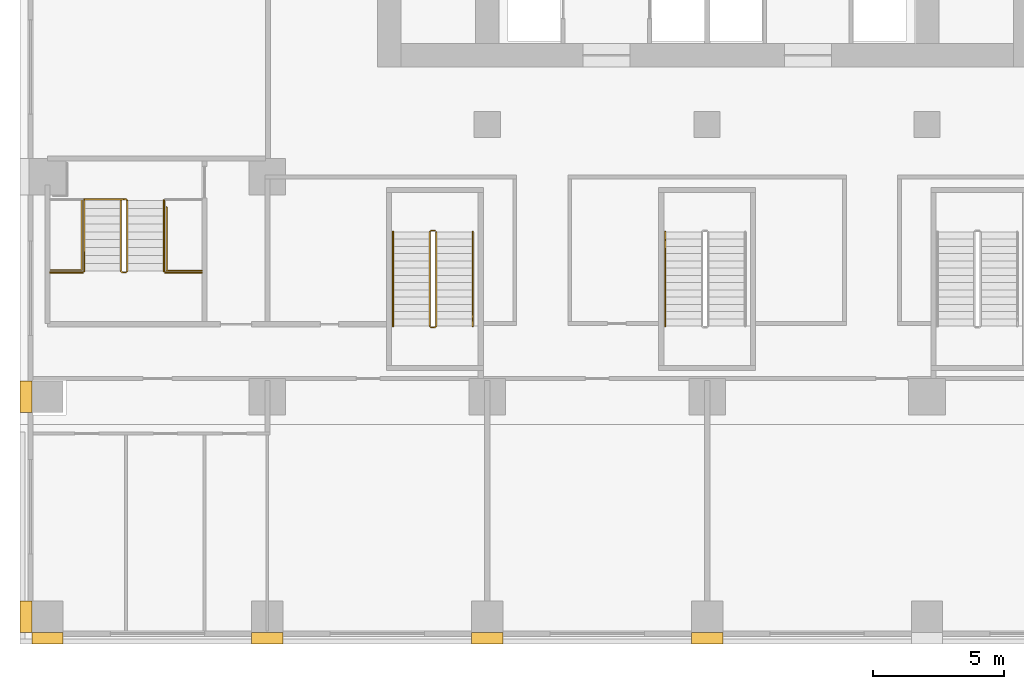
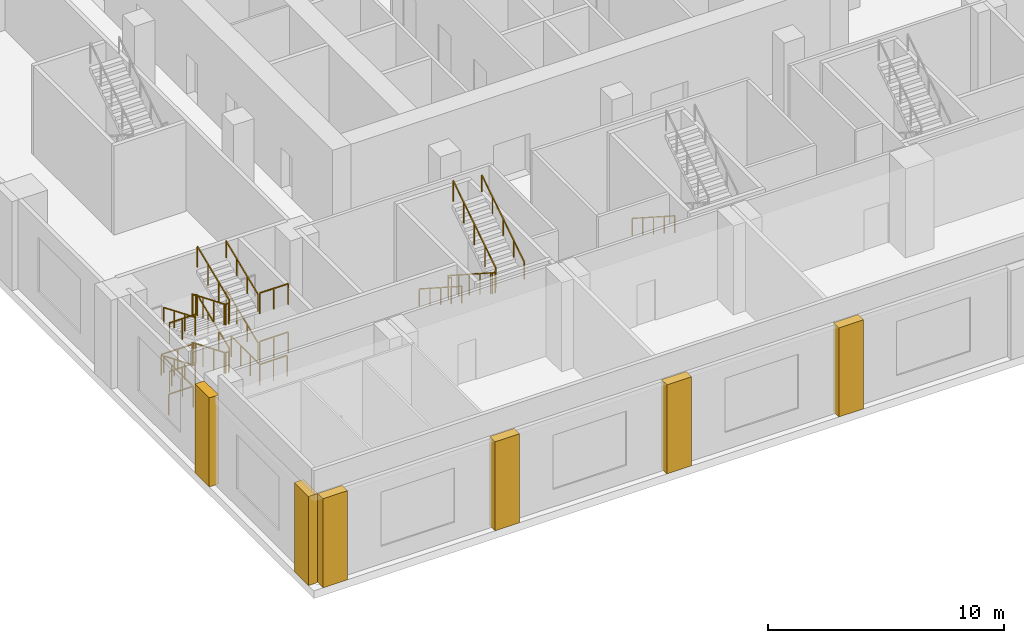
# One storey, part 15 of 23: 15 railings, 6 coverings.
"""IFC4 building model written with IfcOpenShell, lengths in metres."""

from ifc_helpers import new_model, si_unit, direction, frame, origin, origin_2d, place, context, subcontext, project, spatial, polyline, rectangle, outline, extrude, material, type_object, element, save


model = new_model("IFC4")

# Units and contexts
model_context = context("Model", 3, precision=1e-05, world=origin(), true_north=direction((0.0, 1.0)))
body_context = subcontext(model_context, "Body", "Model", "MODEL_VIEW")
ifc_project = project(units=[si_unit("LENGTHUNIT", "METRE"), si_unit("AREAUNIT", "SQUARE_METRE"), si_unit("VOLUMEUNIT", "CUBIC_METRE"), si_unit("PLANEANGLEUNIT", "RADIAN"), si_unit("MASSUNIT", "GRAM", prefix="KILO")], contexts=[model_context])

# Site, building, storey
site_placement = place(None, origin())
site = spatial("IfcSite", under=ifc_project, at=site_placement, CompositionType="ELEMENT")
building_placement = place(site_placement, origin())
building = spatial("IfcBuilding", under=site, at=building_placement, Name="Vermilion Ogive Tower", CompositionType="ELEMENT")
storey_placement = place(building_placement, frame((0.0, 0.0, 20.0)))
storey = spatial("IfcBuildingStorey", under=building, at=storey_placement, Name="L03", CompositionType="ELEMENT", Elevation=20.0)

# Railings
ifc_material_1 = material(Name="Steel S355 painted", Category="steel")
railing_type_1 = type_object("IfcRailingType", Name="Stair guard 1100", PredefinedType="GUARDRAIL", material=ifc_material_1)
railing_1_placement = place(storey_placement, frame((-10.39990234375, -14.64990234375, 0.0)))
element("IfcRailing", 1, at=railing_1_placement, inside=storey, type_object=railing_type_1, Name="L03 ST3 stair guard 4", PredefinedType="GUARDRAIL", context=body_context, shape_type="SweptSolid", body=[
    extrude(rectangle(XDim=0.048095703125, YDim=0.048095703125, at=origin_2d()), frame((0.0, 0.0, 1.076171875), z_axis=(-1.0, 0.0, 0.0), x_axis=(0.0, -1.0, 0.0)), (0.0, 0.0, 1.0), 0.150146484375),
    extrude(rectangle(XDim=0.048095703125, YDim=0.048095703125, at=origin_2d()), frame((-0.150146484375, 0.0, 1.076171875), z_axis=(-0.260684529273, -0.260684529273, 0.929562882432), x_axis=(0.707106781187, -0.707106781187, 0.0)), (0.0, 0.0, 1.0), 0.19189453125),
    extrude(rectangle(XDim=0.048095703125, YDim=0.048095703125, at=origin_2d()), frame((-0.2001953125, -0.050048828125, 1.25439453125), z_axis=(0.0, -0.840414717549, 0.541943818607), x_axis=(1.0, 0.0, 0.0)), (0.0, 0.0, 1.0), 4.28369140625),
    extrude(rectangle(XDim=0.048095703125, YDim=0.048095703125, at=origin_2d()), frame((-0.2001953125, -3.650146484375, 3.576171875), z_axis=(0.707106781187, -0.707106781187, 0.0), x_axis=(0.707106781187, 0.707106781187, 0.0)), (0.0, 0.0, 1.0), 0.07080078125),
    extrude(rectangle(XDim=0.048095703125, YDim=0.048095703125, at=origin_2d()), frame((-0.150146484375, -3.7001953125, 3.576171875), z_axis=(1.0, 0.0, 0.0), x_axis=(0.0, 1.0, 0.0)), (0.0, 0.0, 1.0), 0.150146484375),
    extrude(rectangle(XDim=0.048095703125, YDim=0.048095703125, at=origin_2d()), frame((0.0, -3.7001953125, 3.576171875), z_axis=(0.25949872427, 0.26077077684, 0.929870428634), x_axis=(-0.708833529934, 0.705375805398, 0.0)), (0.0, 0.0, 1.0), 0.19189453125),
    extrude(rectangle(XDim=0.048095703125, YDim=0.048095703125, at=origin_2d()), frame((0.0498046875, -3.650146484375, 3.75439453125), z_axis=(0.0, 0.840414717549, 0.541943818607), x_axis=(-1.0, 0.0, 0.0)), (0.0, 0.0, 1.0), 4.28369140625),
    extrude(rectangle(XDim=0.0419921875, YDim=0.0419921875, at=origin_2d()), origin(), (0.0, 0.0, 1.0), 1.052001953125),
    extrude(rectangle(XDim=0.0419921875, YDim=0.0419921875, at=origin_2d()), frame((-0.150146484375, 0.0, 0.0)), (0.0, 0.0, 1.0), 1.052001953125),
    extrude(rectangle(XDim=0.0419921875, YDim=0.0419921875, at=origin_2d()), frame((-0.2001953125, -0.050048828125, 0.178466796875)), (0.0, 0.0, 1.0), 1.052001953125),
    extrude(rectangle(XDim=0.0419921875, YDim=0.0419921875, at=origin_2d()), frame((-0.2001953125, -0.9501953125, 0.7587890625)), (0.0, 0.0, 1.0), 1.052001953125),
    extrude(rectangle(XDim=0.0419921875, YDim=0.0419921875, at=origin_2d()), frame((-0.2001953125, -1.85009765625, 1.33935546875)), (0.0, 0.0, 1.0), 1.052001953125),
    extrude(rectangle(XDim=0.0419921875, YDim=0.0419921875, at=origin_2d()), frame((-0.2001953125, -2.75, 1.919677734375)), (0.0, 0.0, 1.0), 1.052001953125),
    extrude(rectangle(XDim=0.0419921875, YDim=0.0419921875, at=origin_2d()), frame((-0.2001953125, -3.650146484375, 2.5)), (0.0, 0.0, 1.0), 1.052001953125),
    extrude(rectangle(XDim=0.0419921875, YDim=0.0419921875, at=origin_2d()), frame((-0.150146484375, -3.7001953125, 2.5)), (0.0, 0.0, 1.0), 1.052001953125),
    extrude(rectangle(XDim=0.0419921875, YDim=0.0419921875, at=origin_2d()), frame((0.0, -3.7001953125, 2.5)), (0.0, 0.0, 1.0), 1.052001953125),
    extrude(rectangle(XDim=0.0419921875, YDim=0.0419921875, at=origin_2d()), frame((0.0498046875, -3.650146484375, 2.678466796875)), (0.0, 0.0, 1.0), 1.052001953125),
    extrude(rectangle(XDim=0.0419921875, YDim=0.0419921875, at=origin_2d()), frame((0.0498046875, -2.75, 3.2587890625)), (0.0, 0.0, 1.0), 1.052001953125),
    extrude(rectangle(XDim=0.0419921875, YDim=0.0419921875, at=origin_2d()), frame((0.0498046875, -1.85009765625, 3.83935546875)), (0.0, 0.0, 1.0), 1.052001953125),
    extrude(rectangle(XDim=0.0419921875, YDim=0.0419921875, at=origin_2d()), frame((0.0498046875, -0.9501953125, 4.419677734375)), (0.0, 0.0, 1.0), 1.052001953125),
    extrude(rectangle(XDim=0.0419921875, YDim=0.0419921875, at=origin_2d()), frame((0.0498046875, -0.050048828125, 5.0)), (0.0, 0.0, 1.0), 1.052001953125),
])
railing_2_placement = place(storey_placement, frame((-22.199951171875, -13.449951171875, 0.0)))
element("IfcRailing", 2, at=railing_2_placement, inside=storey, type_object=railing_type_1, Name="L03 PS4 stair guard 8", PredefinedType="GUARDRAIL", context=body_context, shape_type="SweptSolid", body=[
    extrude(rectangle(XDim=0.048095703125, YDim=0.048095703125, at=origin_2d()), frame((0.0, 0.0, 1.076171875), z_axis=(-1.0, 0.0, 0.0), x_axis=(0.0, -1.0, 0.0)), (0.0, 0.0, 1.0), 0.150146484375),
    extrude(rectangle(XDim=0.048095703125, YDim=0.048095703125, at=origin_2d()), frame((-0.150146484375, 0.0, 1.076171875), z_axis=(-0.346918206498, -0.348618785942, 0.870696675133), x_axis=(0.708833529934, -0.705375805398, 0.0)), (0.0, 0.0, 1.0), 0.1435546875),
    extrude(rectangle(XDim=0.048095703125, YDim=0.048095703125, at=origin_2d()), frame((-0.199951171875, -0.050048828125, 1.201171875), z_axis=(0.0, -0.923074453586, 0.384621311341), x_axis=(1.0, 0.0, 0.0)), (0.0, 0.0, 1.0), 2.925048828125),
    extrude(rectangle(XDim=0.048095703125, YDim=0.048095703125, at=origin_2d()), frame((-0.199951171875, -2.75, 2.326171875), z_axis=(0.705375805398, -0.708833529934, 0.0), x_axis=(0.708833529934, 0.705375805398, 0.0)), (0.0, 0.0, 1.0), 0.070556640625),
    extrude(rectangle(XDim=0.048095703125, YDim=0.048095703125, at=origin_2d()), frame((-0.150146484375, -2.800048828125, 2.326171875), z_axis=(1.0, 0.0, 0.0), x_axis=(0.0, 1.0, 0.0)), (0.0, 0.0, 1.0), 0.150146484375),
    extrude(rectangle(XDim=0.048095703125, YDim=0.048095703125, at=origin_2d()), frame((0.0, -2.800048828125, 2.326171875), z_axis=(0.34841279274, 0.34841279274, 0.870182194549), x_axis=(-0.707106781187, 0.707106781187, 0.0)), (0.0, 0.0, 1.0), 0.1435546875),
    extrude(rectangle(XDim=0.048095703125, YDim=0.048095703125, at=origin_2d()), frame((0.050048828125, -2.75, 2.451171875), z_axis=(0.0, 0.923074453586, 0.384621311341), x_axis=(-1.0, 0.0, 0.0)), (0.0, 0.0, 1.0), 2.925048828125),
    extrude(rectangle(XDim=0.048095703125, YDim=0.048095703125, at=origin_2d()), frame((0.050048828125, -0.050048828125, 3.576171875), z_axis=(-0.707106781187, 0.707106781187, 0.0), x_axis=(-0.707106781187, -0.707106781187, 0.0)), (0.0, 0.0, 1.0), 0.07080078125),
    extrude(rectangle(XDim=0.048095703125, YDim=0.048095703125, at=origin_2d()), frame((0.0, 0.0, 3.576171875), z_axis=(-1.0, 0.0, 0.0), x_axis=(0.0, -1.0, 0.0)), (0.0, 0.0, 1.0), 0.150146484375),
    extrude(rectangle(XDim=0.048095703125, YDim=0.048095703125, at=origin_2d()), frame((-0.150146484375, 0.0, 3.576171875), z_axis=(-0.346918206498, -0.348618785942, 0.870696675133), x_axis=(0.708833529934, -0.705375805398, 0.0)), (0.0, 0.0, 1.0), 0.1435546875),
    extrude(rectangle(XDim=0.048095703125, YDim=0.048095703125, at=origin_2d()), frame((-0.199951171875, -0.050048828125, 3.701171875), z_axis=(0.0, -0.923074453586, 0.384621311341), x_axis=(1.0, 0.0, 0.0)), (0.0, 0.0, 1.0), 2.925048828125),
    extrude(rectangle(XDim=0.048095703125, YDim=0.048095703125, at=origin_2d()), frame((-0.199951171875, -2.75, 4.826171875), z_axis=(0.705375805398, -0.708833529934, 0.0), x_axis=(0.708833529934, 0.705375805398, 0.0)), (0.0, 0.0, 1.0), 0.070556640625),
    extrude(rectangle(XDim=0.048095703125, YDim=0.048095703125, at=origin_2d()), frame((-0.150146484375, -2.800048828125, 4.826171875), z_axis=(1.0, 0.0, 0.0), x_axis=(0.0, 1.0, 0.0)), (0.0, 0.0, 1.0), 0.150146484375),
    extrude(rectangle(XDim=0.048095703125, YDim=0.048095703125, at=origin_2d()), frame((0.0, -2.800048828125, 4.826171875), z_axis=(0.34841279274, 0.34841279274, 0.870182194549), x_axis=(-0.707106781187, 0.707106781187, 0.0)), (0.0, 0.0, 1.0), 0.1435546875),
    extrude(rectangle(XDim=0.048095703125, YDim=0.048095703125, at=origin_2d()), frame((0.050048828125, -2.75, 4.951171875), z_axis=(0.0, 0.923074453586, 0.384621311341), x_axis=(-1.0, 0.0, 0.0)), (0.0, 0.0, 1.0), 2.925048828125),
    extrude(rectangle(XDim=0.0419921875, YDim=0.0419921875, at=origin_2d()), origin(), (0.0, 0.0, 1.0), 1.052001953125),
    extrude(rectangle(XDim=0.0419921875, YDim=0.0419921875, at=origin_2d()), frame((-0.150146484375, 0.0, 0.0)), (0.0, 0.0, 1.0), 1.052001953125),
    extrude(rectangle(XDim=0.0419921875, YDim=0.0419921875, at=origin_2d()), frame((-0.199951171875, -0.050048828125, 0.125)), (0.0, 0.0, 1.0), 1.052001953125),
    extrude(rectangle(XDim=0.0419921875, YDim=0.0419921875, at=origin_2d()), frame((-0.199951171875, -0.949951171875, 0.5)), (0.0, 0.0, 1.0), 1.052001953125),
    extrude(rectangle(XDim=0.0419921875, YDim=0.0419921875, at=origin_2d()), frame((-0.199951171875, -1.85009765625, 0.875)), (0.0, 0.0, 1.0), 1.052001953125),
    extrude(rectangle(XDim=0.0419921875, YDim=0.0419921875, at=origin_2d()), frame((-0.199951171875, -2.75, 1.25)), (0.0, 0.0, 1.0), 1.052001953125),
    extrude(rectangle(XDim=0.0419921875, YDim=0.0419921875, at=origin_2d()), frame((-0.150146484375, -2.800048828125, 1.25)), (0.0, 0.0, 1.0), 1.052001953125),
    extrude(rectangle(XDim=0.0419921875, YDim=0.0419921875, at=origin_2d()), frame((0.0, -2.800048828125, 1.25)), (0.0, 0.0, 1.0), 1.052001953125),
    extrude(rectangle(XDim=0.0419921875, YDim=0.0419921875, at=origin_2d()), frame((0.050048828125, -2.75, 1.375)), (0.0, 0.0, 1.0), 1.052001953125),
    extrude(rectangle(XDim=0.0419921875, YDim=0.0419921875, at=origin_2d()), frame((0.050048828125, -1.85009765625, 1.75)), (0.0, 0.0, 1.0), 1.052001953125),
    extrude(rectangle(XDim=0.0419921875, YDim=0.0419921875, at=origin_2d()), frame((0.050048828125, -0.949951171875, 2.125)), (0.0, 0.0, 1.0), 1.052001953125),
    extrude(rectangle(XDim=0.0419921875, YDim=0.0419921875, at=origin_2d()), frame((0.050048828125, -0.050048828125, 2.5)), (0.0, 0.0, 1.0), 1.052001953125),
    extrude(rectangle(XDim=0.0419921875, YDim=0.0419921875, at=origin_2d()), frame((0.0, 0.0, 2.5)), (0.0, 0.0, 1.0), 1.052001953125),
    extrude(rectangle(XDim=0.0419921875, YDim=0.0419921875, at=origin_2d()), frame((-0.150146484375, 0.0, 2.5)), (0.0, 0.0, 1.0), 1.052001953125),
    extrude(rectangle(XDim=0.0419921875, YDim=0.0419921875, at=origin_2d()), frame((-0.199951171875, -0.050048828125, 2.625)), (0.0, 0.0, 1.0), 1.052001953125),
    extrude(rectangle(XDim=0.0419921875, YDim=0.0419921875, at=origin_2d()), frame((-0.199951171875, -0.949951171875, 3.0)), (0.0, 0.0, 1.0), 1.052001953125),
    extrude(rectangle(XDim=0.0419921875, YDim=0.0419921875, at=origin_2d()), frame((-0.199951171875, -1.85009765625, 3.375)), (0.0, 0.0, 1.0), 1.052001953125),
    extrude(rectangle(XDim=0.0419921875, YDim=0.0419921875, at=origin_2d()), frame((-0.199951171875, -2.75, 3.75)), (0.0, 0.0, 1.0), 1.052001953125),
    extrude(rectangle(XDim=0.0419921875, YDim=0.0419921875, at=origin_2d()), frame((-0.150146484375, -2.800048828125, 3.75)), (0.0, 0.0, 1.0), 1.052001953125),
    extrude(rectangle(XDim=0.0419921875, YDim=0.0419921875, at=origin_2d()), frame((0.0, -2.800048828125, 3.75)), (0.0, 0.0, 1.0), 1.052001953125),
    extrude(rectangle(XDim=0.0419921875, YDim=0.0419921875, at=origin_2d()), frame((0.050048828125, -2.75, 3.875)), (0.0, 0.0, 1.0), 1.052001953125),
    extrude(rectangle(XDim=0.0419921875, YDim=0.0419921875, at=origin_2d()), frame((0.050048828125, -1.85009765625, 4.25)), (0.0, 0.0, 1.0), 1.052001953125),
    extrude(rectangle(XDim=0.0419921875, YDim=0.0419921875, at=origin_2d()), frame((0.050048828125, -0.949951171875, 4.625)), (0.0, 0.0, 1.0), 1.052001953125),
    extrude(rectangle(XDim=0.0419921875, YDim=0.0419921875, at=origin_2d()), frame((0.050048828125, -0.050048828125, 5.0)), (0.0, 0.0, 1.0), 1.052001953125),
])
railing_3_placement = place(storey_placement, frame((-25.10009765625, -16.25, 1.25)))
element("IfcRailing", 3, at=railing_3_placement, inside=storey, type_object=railing_type_1, Name="L03 landing guard", PredefinedType="GUARDRAIL", context=body_context, shape_type="SweptSolid", body=[
    extrude(rectangle(XDim=0.048095703125, YDim=0.048095703125, at=origin_2d()), frame((0.0, 0.0, 1.076171875), z_axis=(1.0, 0.0, 0.0), x_axis=(0.0, 1.0, 0.0)), (0.0, 0.0, 1.0), 1.25),
    extrude(rectangle(XDim=0.0419921875, YDim=0.0419921875, at=origin_2d()), origin(), (0.0, 0.0, 1.0), 1.052001953125),
    extrude(rectangle(XDim=0.0419921875, YDim=0.0419921875, at=origin_2d()), frame((0.625, 0.0, 0.0)), (0.0, 0.0, 1.0), 1.052001953125),
    extrude(rectangle(XDim=0.0419921875, YDim=0.0419921875, at=origin_2d()), frame((1.25, 0.0, 0.0)), (0.0, 0.0, 1.0), 1.052001953125),
])
railing_4_placement = place(storey_placement, frame((-20.699951171875, -16.25, 1.25)))
element("IfcRailing", 4, at=railing_4_placement, inside=storey, type_object=railing_type_1, Name="L03 landing guard", PredefinedType="GUARDRAIL", context=body_context, shape_type="SweptSolid", body=[
    extrude(rectangle(XDim=0.048095703125, YDim=0.048095703125, at=origin_2d()), frame((0.0, 0.0, 1.076171875), z_axis=(1.0, 0.0, 0.0), x_axis=(0.0, 1.0, 0.0)), (0.0, 0.0, 1.0), 1.39990234375),
    extrude(rectangle(XDim=0.0419921875, YDim=0.0419921875, at=origin_2d()), origin(), (0.0, 0.0, 1.0), 1.052001953125),
    extrude(rectangle(XDim=0.0419921875, YDim=0.0419921875, at=origin_2d()), frame((0.699951171875, 0.0, 0.0)), (0.0, 0.0, 1.0), 1.052001953125),
    extrude(rectangle(XDim=0.0419921875, YDim=0.0419921875, at=origin_2d()), frame((1.39990234375, 0.0, 0.0)), (0.0, 0.0, 1.0), 1.052001953125),
])
railing_5_placement = place(storey_placement, frame((-25.10009765625, -16.25, 3.75)))
element("IfcRailing", 5, at=railing_5_placement, inside=storey, type_object=railing_type_1, Name="L03 landing guard", PredefinedType="GUARDRAIL", context=body_context, shape_type="SweptSolid", body=[
    extrude(rectangle(XDim=0.048095703125, YDim=0.048095703125, at=origin_2d()), frame((0.0, 0.0, 1.076171875), z_axis=(1.0, 0.0, 0.0), x_axis=(0.0, 1.0, 0.0)), (0.0, 0.0, 1.0), 1.25),
    extrude(rectangle(XDim=0.0419921875, YDim=0.0419921875, at=origin_2d()), origin(), (0.0, 0.0, 1.0), 1.052001953125),
    extrude(rectangle(XDim=0.0419921875, YDim=0.0419921875, at=origin_2d()), frame((0.625, 0.0, 0.0)), (0.0, 0.0, 1.0), 1.052001953125),
    extrude(rectangle(XDim=0.0419921875, YDim=0.0419921875, at=origin_2d()), frame((1.25, 0.0, 0.0)), (0.0, 0.0, 1.0), 1.052001953125),
])
railing_6_placement = place(storey_placement, frame((-20.699951171875, -16.25, 3.75)))
element("IfcRailing", 6, at=railing_6_placement, inside=storey, type_object=railing_type_1, Name="L03 landing guard", PredefinedType="GUARDRAIL", context=body_context, shape_type="SweptSolid", body=[
    extrude(rectangle(XDim=0.048095703125, YDim=0.048095703125, at=origin_2d()), frame((0.0, 0.0, 1.076171875), z_axis=(1.0, 0.0, 0.0), x_axis=(0.0, 1.0, 0.0)), (0.0, 0.0, 1.0), 1.39990234375),
    extrude(rectangle(XDim=0.0419921875, YDim=0.0419921875, at=origin_2d()), origin(), (0.0, 0.0, 1.0), 1.052001953125),
    extrude(rectangle(XDim=0.0419921875, YDim=0.0419921875, at=origin_2d()), frame((0.699951171875, 0.0, 0.0)), (0.0, 0.0, 1.0), 1.052001953125),
    extrude(rectangle(XDim=0.0419921875, YDim=0.0419921875, at=origin_2d()), frame((1.39990234375, 0.0, 0.0)), (0.0, 0.0, 1.0), 1.052001953125),
])
railing_7_placement = place(storey_placement, frame((-25.081787109375, -16.156982421875, 0.0)))
element("IfcRailing", 7, at=railing_7_placement, inside=storey, type_object=railing_type_1, Name="L03 stair opening guard", PredefinedType="GUARDRAIL", context=body_context, shape_type="SweptSolid", body=[
    extrude(rectangle(XDim=0.048095703125, YDim=0.048095703125, at=origin_2d()), frame((0.0, 0.0, 1.076171875), z_axis=(1.0, 0.0, 0.0), x_axis=(0.0, 1.0, 0.0)), (0.0, 0.0, 1.0), 1.18994140625),
    extrude(rectangle(XDim=0.048095703125, YDim=0.048095703125, at=origin_2d()), frame((1.18994140625, 0.0, 1.076171875), z_axis=(0.0, 1.0, 0.0), x_axis=(-1.0, 0.0, 0.0)), (0.0, 0.0, 1.0), 2.7001953125),
    extrude(rectangle(XDim=0.048095703125, YDim=0.048095703125, at=origin_2d()), frame((1.18994140625, 2.7001953125, 1.076171875), z_axis=(1.0, 0.0, 0.0), x_axis=(0.0, 1.0, 0.0)), (0.0, 0.0, 1.0), 1.60009765625),
    extrude(rectangle(XDim=0.0419921875, YDim=0.0419921875, at=origin_2d()), origin(), (0.0, 0.0, 1.0), 1.052001953125),
    extrude(rectangle(XDim=0.0419921875, YDim=0.0419921875, at=origin_2d()), frame((1.18994140625, 0.0, 0.0)), (0.0, 0.0, 1.0), 1.052001953125),
    extrude(rectangle(XDim=0.0419921875, YDim=0.0419921875, at=origin_2d()), frame((1.18994140625, 0.900146484375, 0.0)), (0.0, 0.0, 1.0), 1.052001953125),
    extrude(rectangle(XDim=0.0419921875, YDim=0.0419921875, at=origin_2d()), frame((1.18994140625, 1.800048828125, 0.0)), (0.0, 0.0, 1.0), 1.052001953125),
    extrude(rectangle(XDim=0.0419921875, YDim=0.0419921875, at=origin_2d()), frame((1.18994140625, 2.7001953125, 0.0)), (0.0, 0.0, 1.0), 1.052001953125),
    extrude(rectangle(XDim=0.0419921875, YDim=0.0419921875, at=origin_2d()), frame((1.989990234375, 2.7001953125, 0.0)), (0.0, 0.0, 1.0), 1.052001953125),
    extrude(rectangle(XDim=0.0419921875, YDim=0.0419921875, at=origin_2d()), frame((2.7900390625, 2.7001953125, 0.0)), (0.0, 0.0, 1.0), 1.052001953125),
])
railing_8_placement = place(storey_placement, frame((-20.6474609375, -13.74658203125, 0.0)))
element("IfcRailing", 8, at=railing_8_placement, inside=storey, type_object=railing_type_1, Name="L03 stair opening guard", PredefinedType="GUARDRAIL", context=body_context, shape_type="SweptSolid", body=[
    extrude(rectangle(XDim=0.048095703125, YDim=0.048095703125, at=origin_2d()), frame((0.0, 0.0, 1.076171875), z_axis=(0.0, -1.0, 0.0), x_axis=(1.0, 0.0, 0.0)), (0.0, 0.0, 1.0), 2.42431640625),
    extrude(rectangle(XDim=0.048095703125, YDim=0.048095703125, at=origin_2d()), frame((0.0, -2.42431640625, 1.076171875), z_axis=(1.0, 0.0, 0.0), x_axis=(0.0, 1.0, 0.0)), (0.0, 0.0, 1.0), 1.340087890625),
    extrude(rectangle(XDim=0.0419921875, YDim=0.0419921875, at=origin_2d()), origin(), (0.0, 0.0, 1.0), 1.052001953125),
    extrude(rectangle(XDim=0.0419921875, YDim=0.0419921875, at=origin_2d()), frame((0.0, -0.80810546875, 0.0)), (0.0, 0.0, 1.0), 1.052001953125),
    extrude(rectangle(XDim=0.0419921875, YDim=0.0419921875, at=origin_2d()), frame((0.0, -1.6162109375, 0.0)), (0.0, 0.0, 1.0), 1.052001953125),
    extrude(rectangle(XDim=0.0419921875, YDim=0.0419921875, at=origin_2d()), frame((0.0, -2.42431640625, 0.0)), (0.0, 0.0, 1.0), 1.052001953125),
    extrude(rectangle(XDim=0.0419921875, YDim=0.0419921875, at=origin_2d()), frame((0.669921875, -2.42431640625, 0.0)), (0.0, 0.0, 1.0), 1.052001953125),
    extrude(rectangle(XDim=0.0419921875, YDim=0.0419921875, at=origin_2d()), frame((1.340087890625, -2.42431640625, 0.0)), (0.0, 0.0, 1.0), 1.052001953125),
])
ifc_material_2 = material(Name="Stainless steel", Category="steel")
railing_type_2 = type_object("IfcRailingType", Name="Stair handrail 900", PredefinedType="HANDRAIL", material=ifc_material_2)
railing_9_placement = place(storey_placement, frame((-12.0, -14.699951171875, 0.178466796875)))
element("IfcRailing", 9, at=railing_9_placement, inside=storey, type_object=railing_type_2, Name="L03 ST3 stair handrail 1", PredefinedType="HANDRAIL", context=body_context, shape_type="SweptSolid", body=[
    extrude(rectangle(XDim=0.048095703125, YDim=0.048095703125, at=origin_2d()), frame((0.0, 0.0, 0.8759765625), z_axis=(0.0, -0.840414717549, 0.541943818607), x_axis=(1.0, 0.0, 0.0)), (0.0, 0.0, 1.0), 4.28369140625),
    extrude(rectangle(XDim=0.0419921875, YDim=0.0419921875, at=origin_2d()), origin(), (0.0, 0.0, 1.0), 0.851806640625),
    extrude(rectangle(XDim=0.0419921875, YDim=0.0419921875, at=origin_2d()), frame((0.0, -0.89990234375, 0.580322265625)), (0.0, 0.0, 1.0), 0.851806640625),
    extrude(rectangle(XDim=0.0419921875, YDim=0.0419921875, at=origin_2d()), frame((0.0, -1.800048828125, 1.16064453125)), (0.0, 0.0, 1.0), 0.851806640625),
    extrude(rectangle(XDim=0.0419921875, YDim=0.0419921875, at=origin_2d()), frame((0.0, -2.7001953125, 1.7412109375)), (0.0, 0.0, 1.0), 0.851806640625),
    extrude(rectangle(XDim=0.0419921875, YDim=0.0419921875, at=origin_2d()), frame((0.0, -3.60009765625, 2.321533203125)), (0.0, 0.0, 1.0), 0.851806640625),
])
railing_10_placement = place(storey_placement, frame((-8.949951171875, -18.300048828125, 2.678466796875)))
element("IfcRailing", 10, at=railing_10_placement, inside=storey, type_object=railing_type_2, Name="L03 ST3 stair handrail 2", PredefinedType="HANDRAIL", context=body_context, shape_type="SweptSolid", body=[
    extrude(rectangle(XDim=0.048095703125, YDim=0.048095703125, at=origin_2d()), frame((0.0, 0.0, 0.8759765625), z_axis=(0.0, 0.840414717549, 0.541943818607), x_axis=(-1.0, 0.0, 0.0)), (0.0, 0.0, 1.0), 4.28369140625),
    extrude(rectangle(XDim=0.0419921875, YDim=0.0419921875, at=origin_2d()), origin(), (0.0, 0.0, 1.0), 0.851806640625),
    extrude(rectangle(XDim=0.0419921875, YDim=0.0419921875, at=origin_2d()), frame((0.0, 0.89990234375, 0.580322265625)), (0.0, 0.0, 1.0), 0.851806640625),
    extrude(rectangle(XDim=0.0419921875, YDim=0.0419921875, at=origin_2d()), frame((0.0, 1.800048828125, 1.16064453125)), (0.0, 0.0, 1.0), 0.851806640625),
    extrude(rectangle(XDim=0.0419921875, YDim=0.0419921875, at=origin_2d()), frame((0.0, 2.7001953125, 1.7412109375)), (0.0, 0.0, 1.0), 0.851806640625),
    extrude(rectangle(XDim=0.0419921875, YDim=0.0419921875, at=origin_2d()), frame((0.0, 3.60009765625, 2.321533203125)), (0.0, 0.0, 1.0), 0.851806640625),
])
railing_11_placement = place(storey_placement, frame((-1.60009765625, -14.699951171875, 0.178466796875)))
element("IfcRailing", 11, at=railing_11_placement, inside=storey, type_object=railing_type_2, Name="L03 ST4 stair handrail 1", PredefinedType="HANDRAIL", context=body_context, shape_type="SweptSolid", body=[
    extrude(rectangle(XDim=0.048095703125, YDim=0.048095703125, at=origin_2d()), frame((0.0, 0.0, 0.8759765625), z_axis=(0.0, -0.840414717549, 0.541943818607), x_axis=(1.0, 0.0, 0.0)), (0.0, 0.0, 1.0), 4.28369140625),
    extrude(rectangle(XDim=0.0419921875, YDim=0.0419921875, at=origin_2d()), origin(), (0.0, 0.0, 1.0), 0.851806640625),
    extrude(rectangle(XDim=0.0419921875, YDim=0.0419921875, at=origin_2d()), frame((0.0, -0.89990234375, 0.580322265625)), (0.0, 0.0, 1.0), 0.851806640625),
    extrude(rectangle(XDim=0.0419921875, YDim=0.0419921875, at=origin_2d()), frame((0.0, -1.800048828125, 1.16064453125)), (0.0, 0.0, 1.0), 0.851806640625),
    extrude(rectangle(XDim=0.0419921875, YDim=0.0419921875, at=origin_2d()), frame((0.0, -2.7001953125, 1.7412109375)), (0.0, 0.0, 1.0), 0.851806640625),
    extrude(rectangle(XDim=0.0419921875, YDim=0.0419921875, at=origin_2d()), frame((0.0, -3.60009765625, 2.321533203125)), (0.0, 0.0, 1.0), 0.851806640625),
])
railing_12_placement = place(storey_placement, frame((-23.800048828125, -13.5, 0.125)))
element("IfcRailing", 12, at=railing_12_placement, inside=storey, type_object=railing_type_2, Name="L03 PS4 stair handrail 1", PredefinedType="HANDRAIL", context=body_context, shape_type="SweptSolid", body=[
    extrude(rectangle(XDim=0.048095703125, YDim=0.048095703125, at=origin_2d()), frame((0.0, 0.0, 0.8759765625), z_axis=(0.0, -0.923074453586, 0.384621311341), x_axis=(1.0, 0.0, 0.0)), (0.0, 0.0, 1.0), 2.925048828125),
    extrude(rectangle(XDim=0.0419921875, YDim=0.0419921875, at=origin_2d()), origin(), (0.0, 0.0, 1.0), 0.851806640625),
    extrude(rectangle(XDim=0.0419921875, YDim=0.0419921875, at=origin_2d()), frame((0.0, -0.89990234375, 0.375)), (0.0, 0.0, 1.0), 0.851806640625),
    extrude(rectangle(XDim=0.0419921875, YDim=0.0419921875, at=origin_2d()), frame((0.0, -1.800048828125, 0.75)), (0.0, 0.0, 1.0), 0.851806640625),
    extrude(rectangle(XDim=0.0419921875, YDim=0.0419921875, at=origin_2d()), frame((0.0, -2.699951171875, 1.125)), (0.0, 0.0, 1.0), 0.851806640625),
])
railing_13_placement = place(storey_placement, frame((-20.75, -16.199951171875, 1.375)))
element("IfcRailing", 13, at=railing_13_placement, inside=storey, type_object=railing_type_2, Name="L03 PS4 stair handrail 2", PredefinedType="HANDRAIL", context=body_context, shape_type="SweptSolid", body=[
    extrude(rectangle(XDim=0.048095703125, YDim=0.048095703125, at=origin_2d()), frame((0.0, 0.0, 0.8759765625), z_axis=(0.0, 0.923074453586, 0.384621311341), x_axis=(-1.0, 0.0, 0.0)), (0.0, 0.0, 1.0), 2.925048828125),
    extrude(rectangle(XDim=0.0419921875, YDim=0.0419921875, at=origin_2d()), origin(), (0.0, 0.0, 1.0), 0.851806640625),
    extrude(rectangle(XDim=0.0419921875, YDim=0.0419921875, at=origin_2d()), frame((0.0, 0.89990234375, 0.375)), (0.0, 0.0, 1.0), 0.851806640625),
    extrude(rectangle(XDim=0.0419921875, YDim=0.0419921875, at=origin_2d()), frame((0.0, 1.800048828125, 0.75)), (0.0, 0.0, 1.0), 0.851806640625),
    extrude(rectangle(XDim=0.0419921875, YDim=0.0419921875, at=origin_2d()), frame((0.0, 2.699951171875, 1.125)), (0.0, 0.0, 1.0), 0.851806640625),
])
railing_14_placement = place(storey_placement, frame((-23.800048828125, -13.5, 2.625)))
element("IfcRailing", 14, at=railing_14_placement, inside=storey, type_object=railing_type_2, Name="L03 PS4 stair handrail 3", PredefinedType="HANDRAIL", context=body_context, shape_type="SweptSolid", body=[
    extrude(rectangle(XDim=0.048095703125, YDim=0.048095703125, at=origin_2d()), frame((0.0, 0.0, 0.8759765625), z_axis=(0.0, -0.923074453586, 0.384621311341), x_axis=(1.0, 0.0, 0.0)), (0.0, 0.0, 1.0), 2.925048828125),
    extrude(rectangle(XDim=0.0419921875, YDim=0.0419921875, at=origin_2d()), origin(), (0.0, 0.0, 1.0), 0.851806640625),
    extrude(rectangle(XDim=0.0419921875, YDim=0.0419921875, at=origin_2d()), frame((0.0, -0.89990234375, 0.375)), (0.0, 0.0, 1.0), 0.851806640625),
    extrude(rectangle(XDim=0.0419921875, YDim=0.0419921875, at=origin_2d()), frame((0.0, -1.800048828125, 0.75)), (0.0, 0.0, 1.0), 0.851806640625),
    extrude(rectangle(XDim=0.0419921875, YDim=0.0419921875, at=origin_2d()), frame((0.0, -2.699951171875, 1.125)), (0.0, 0.0, 1.0), 0.851806640625),
])
railing_15_placement = place(storey_placement, frame((-20.75, -16.199951171875, 3.875)))
element("IfcRailing", 15, at=railing_15_placement, inside=storey, type_object=railing_type_2, Name="L03 PS4 stair handrail 4", PredefinedType="HANDRAIL", context=body_context, shape_type="SweptSolid", body=[
    extrude(rectangle(XDim=0.048095703125, YDim=0.048095703125, at=origin_2d()), frame((0.0, 0.0, 0.8759765625), z_axis=(0.0, 0.923074453586, 0.384621311341), x_axis=(-1.0, 0.0, 0.0)), (0.0, 0.0, 1.0), 2.925048828125),
    extrude(rectangle(XDim=0.0419921875, YDim=0.0419921875, at=origin_2d()), origin(), (0.0, 0.0, 1.0), 0.851806640625),
    extrude(rectangle(XDim=0.0419921875, YDim=0.0419921875, at=origin_2d()), frame((0.0, 0.89990234375, 0.375)), (0.0, 0.0, 1.0), 0.851806640625),
    extrude(rectangle(XDim=0.0419921875, YDim=0.0419921875, at=origin_2d()), frame((0.0, 1.800048828125, 0.75)), (0.0, 0.0, 1.0), 0.851806640625),
    extrude(rectangle(XDim=0.0419921875, YDim=0.0419921875, at=origin_2d()), frame((0.0, 2.699951171875, 1.125)), (0.0, 0.0, 1.0), 0.851806640625),
])

# Coverings
ifc_material_3 = material(Name="Stone cladding", Category="masonry")
covering_type = type_object("IfcCoveringType", Name="Stone pier", PredefinedType="CLADDING", material=ifc_material_3)
covering_1_placement = place(storey_placement, origin())
element("IfcCovering", 16, at=covering_1_placement, inside=storey, type_object=covering_type, Name="Stone pier P+000-294", PredefinedType="CLADDING", context=body_context, shape_type="SweptSolid", body=[
    extrude(outline(polyline([(0.60009765625, -30.0), (0.60009765625, -30.0), (0.60009765625, -30.449951171875), (-0.60009765625, -30.449951171875), (-0.60009765625, -30.0), (-0.60009765625, -30.0), (0.60009765625, -30.0)])), origin(), (0.0, 0.0, 1.0), 4.60009765625),
])
covering_2_placement = place(storey_placement, origin())
element("IfcCovering", 17, at=covering_2_placement, inside=storey, type_object=covering_type, Name="Stone pier P-084-294", PredefinedType="CLADDING", context=body_context, shape_type="SweptSolid", body=[
    extrude(outline(polyline([(-7.800048828125, -30.0), (-7.800048828125, -30.449951171875), (-9.0, -30.449951171875), (-9.0, -30.0), (-9.0, -30.0), (-7.800048828125, -30.0)])), origin(), (0.0, 0.0, 1.0), 4.60009765625),
])
covering_3_placement = place(storey_placement, origin())
element("IfcCovering", 18, at=covering_3_placement, inside=storey, type_object=covering_type, Name="Stone pier P-168-294", PredefinedType="CLADDING", context=body_context, shape_type="SweptSolid", body=[
    extrude(outline(polyline([(-16.199951171875, -30.449951171875), (-17.39990234375, -30.449951171875), (-17.39990234375, -30.0), (-16.199951171875, -30.0), (-16.199951171875, -30.449951171875)])), origin(), (0.0, 0.0, 1.0), 4.60009765625),
])
covering_4_placement = place(storey_placement, origin())
element("IfcCovering", 19, at=covering_4_placement, inside=storey, type_object=covering_type, Name="Stone pier P-252-210", PredefinedType="CLADDING", context=body_context, shape_type="SweptSolid", body=[
    extrude(outline(polyline([(-26.25, -21.60009765625), (-26.25, -20.39990234375), (-25.800048828125, -20.39990234375), (-25.800048828125, -21.60009765625), (-26.25, -21.60009765625)])), origin(), (0.0, 0.0, 1.0), 4.60009765625),
])
covering_5_placement = place(storey_placement, origin())
element("IfcCovering", 20, at=covering_5_placement, inside=storey, type_object=covering_type, Name="Stone pier P-252-294S", PredefinedType="CLADDING", context=body_context, shape_type="SweptSolid", body=[
    extrude(outline(polyline([(-24.60009765625, -30.449951171875), (-25.800048828125, -30.449951171875), (-25.800048828125, -30.0), (-24.60009765625, -30.0), (-24.60009765625, -30.449951171875)])), origin(), (0.0, 0.0, 1.0), 4.60009765625),
])
covering_6_placement = place(storey_placement, origin())
element("IfcCovering", 21, at=covering_6_placement, inside=storey, type_object=covering_type, Name="Stone pier P-252-294W", PredefinedType="CLADDING", context=body_context, shape_type="SweptSolid", body=[
    extrude(outline(polyline([(-26.25, -28.800048828125), (-25.800048828125, -28.800048828125), (-25.800048828125, -30.0), (-26.25, -30.0), (-26.25, -28.800048828125)])), origin(), (0.0, 0.0, 1.0), 4.60009765625),
])

save(model, "model.ifc")
